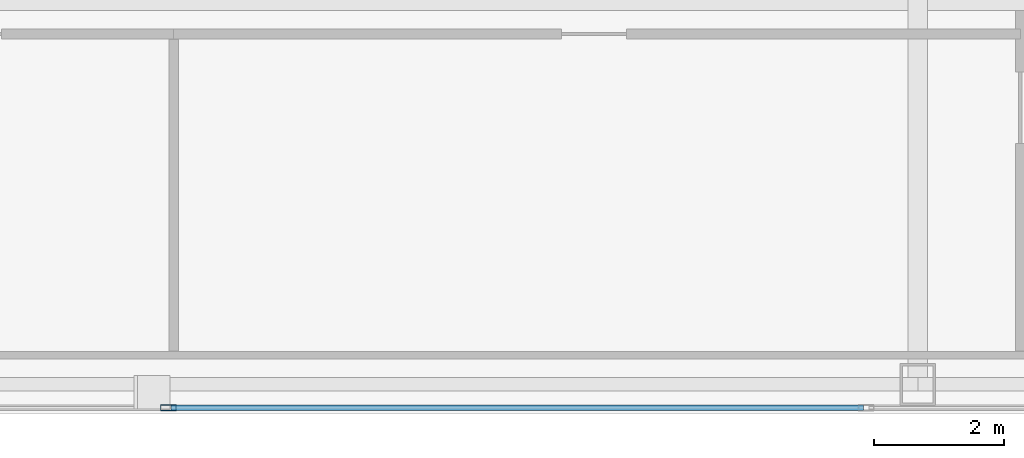
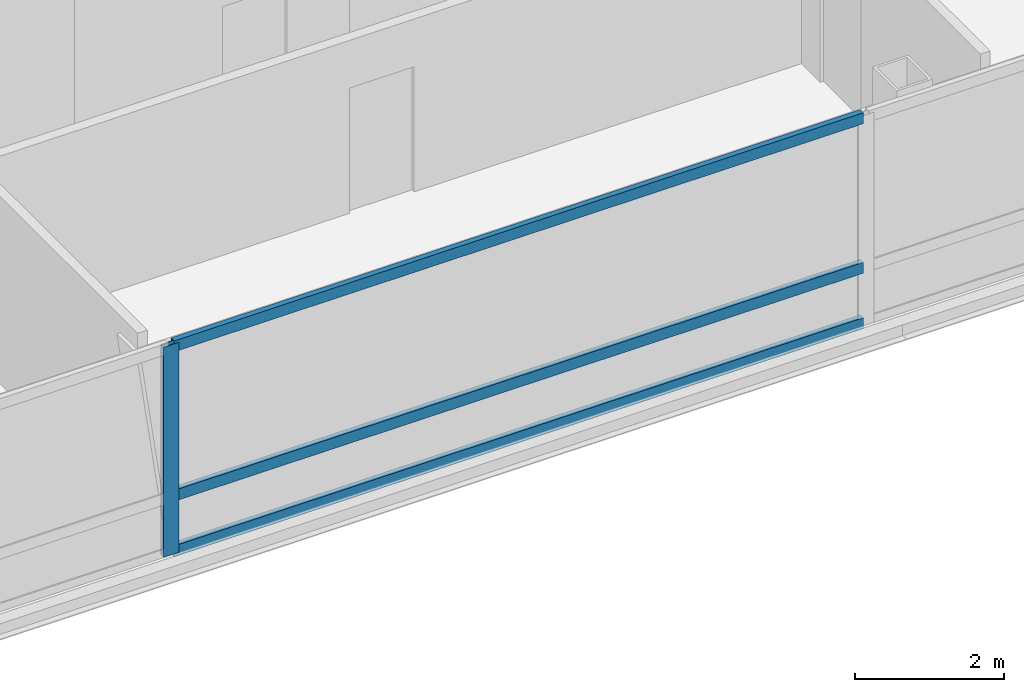
# One storey, part 7 of 27: 4 members, 1 element without a shape of its own.
"""IFC4 building model written with IfcOpenShell, lengths in metres."""

from ifc_helpers import new_model, si_unit, direction, frame, origin, origin_2d, place, context, subcontext, project, spatial, hollow_rectangle, extrude, material, material_profile, profile_set, type_object, element, aggregate, save


model = new_model("IFC4")

# Units and contexts
model_context = context("Model", 3, precision=1e-05, world=origin(), true_north=direction((0.0, 1.0)))
body_context = subcontext(model_context, "Body", "Model", "MODEL_VIEW")
ifc_project = project(units=[si_unit("LENGTHUNIT", "METRE"), si_unit("AREAUNIT", "SQUARE_METRE"), si_unit("VOLUMEUNIT", "CUBIC_METRE"), si_unit("PLANEANGLEUNIT", "RADIAN"), si_unit("MASSUNIT", "GRAM", prefix="KILO")], contexts=[model_context])

# Site, building, storey
site_placement = place(None, origin())
site = spatial("IfcSite", under=ifc_project, at=site_placement, CompositionType="ELEMENT")
building_placement = place(site_placement, origin())
building = spatial("IfcBuilding", under=site, at=building_placement, Name="Khoronbel Lancet Exchange", CompositionType="ELEMENT")
storey_placement = place(building_placement, frame((0.0, 0.0, 343.39990234375)))
storey = spatial("IfcBuildingStorey", under=building, at=storey_placement, Name="L89", CompositionType="ELEMENT", Elevation=343.39990234375)

# Curtain wall, members
ifc_material_1 = material(Name="Low-E Solar Control Insulating Glass", Category="glass")
curtain_wall_type = type_object("IfcCurtainWallType", Name="CW-3", PredefinedType="NOTDEFINED", material=ifc_material_1)
curtain_wall_placement = place(storey_placement, origin())
curtain_wall = element("IfcCurtainWall", 1, at=curtain_wall_placement, inside=storey, type_object=curtain_wall_type, Name="Unitised curtain wall CW-L89-E26", PredefinedType="NOTDEFINED")
ifc_material_2 = material(Name="Bronze-Anodised Aluminium 6063-T6", Category="aluminium")
ifc_material_profile_1 = material_profile(ifc_material_2, hollow_rectangle(XDim=0.0849609375, YDim=0.239990234375, WallThickness=0.006103515625, at=origin_2d()), Name="ALU MULLION 85x240")
ifc_profile_set_1 = profile_set([ifc_material_profile_1], Name="Bronze-Anodised Aluminium 6063-T6")
member_type_1 = type_object("IfcMemberType", Name="MEM-CWM1", PredefinedType="MULLION", material=ifc_profile_set_1)
member_1_placement = place(storey_placement, frame((36.449951171875, 9.7900390625, 0.0), z_axis=(0.0, 0.0, 1.0), x_axis=(0.0, -1.0, 0.0)))
member_1 = element("IfcMember", 2, at=member_1_placement, type_object=member_type_1, Name="CW3 mullion 3", PredefinedType="MULLION", context=body_context, shape_type="SweptSolid", body=[
    extrude(hollow_rectangle(XDim=0.0849609375, YDim=0.239990234375, WallThickness=0.006103515625, at=origin_2d()), origin(), (0.0, 0.0, 1.0), 3.440185546875),
])
ifc_material_profile_2 = material_profile(ifc_material_2, hollow_rectangle(XDim=0.0849609375, YDim=0.179931640625, WallThickness=0.0048828125, at=origin_2d()), Name="ALU TRANSOM 85x180")
ifc_profile_set_2 = profile_set([ifc_material_profile_2], Name="Bronze-Anodised Aluminium 6063-T6")
member_type_2 = type_object("IfcMemberType", Name="MEM-CWT1", PredefinedType="USERDEFINED", material=ifc_profile_set_2)
member_2_placement = place(storey_placement, frame((47.16259765625, 9.7900390625, 0.04248046875), z_axis=(-1.0, 0.0, 0.0), x_axis=(0.0, -1.0, 0.0)))
member_2 = element("IfcMember", 3, at=member_2_placement, type_object=member_type_2, Name="CW3 transom 2.1", ObjectType="TRANSOM", PredefinedType="USERDEFINED", context=body_context, shape_type="SweptSolid", body=[
    extrude(hollow_rectangle(XDim=0.0849609375, YDim=0.179931640625, WallThickness=0.0048828125, at=origin_2d()), origin(), (0.0, 0.0, 1.0), 10.670166015625),
])
member_3_placement = place(storey_placement, frame((47.16259765625, 9.7900390625, 0.9501953125), z_axis=(-1.0, 0.0, 0.0), x_axis=(0.0, -1.0, 0.0)))
member_3 = element("IfcMember", 4, at=member_3_placement, type_object=member_type_2, Name="CW3 transom 2.2", ObjectType="TRANSOM", PredefinedType="USERDEFINED", context=body_context, shape_type="SweptSolid", body=[
    extrude(hollow_rectangle(XDim=0.0849609375, YDim=0.179931640625, WallThickness=0.0048828125, at=origin_2d()), origin(), (0.0, 0.0, 1.0), 10.670166015625),
])
member_4_placement = place(storey_placement, frame((47.16259765625, 9.7900390625, 3.397705078125), z_axis=(-1.0, 0.0, 0.0), x_axis=(0.0, -1.0, 0.0)))
member_4 = element("IfcMember", 5, at=member_4_placement, type_object=member_type_2, Name="CW3 transom 2.3", ObjectType="TRANSOM", PredefinedType="USERDEFINED", context=body_context, shape_type="SweptSolid", body=[
    extrude(hollow_rectangle(XDim=0.0849609375, YDim=0.179931640625, WallThickness=0.0048828125, at=origin_2d()), origin(), (0.0, 0.0, 1.0), 10.670166015625),
])
aggregate(curtain_wall, [member_1, member_2, member_3, member_4])

save(model, "model.ifc")
